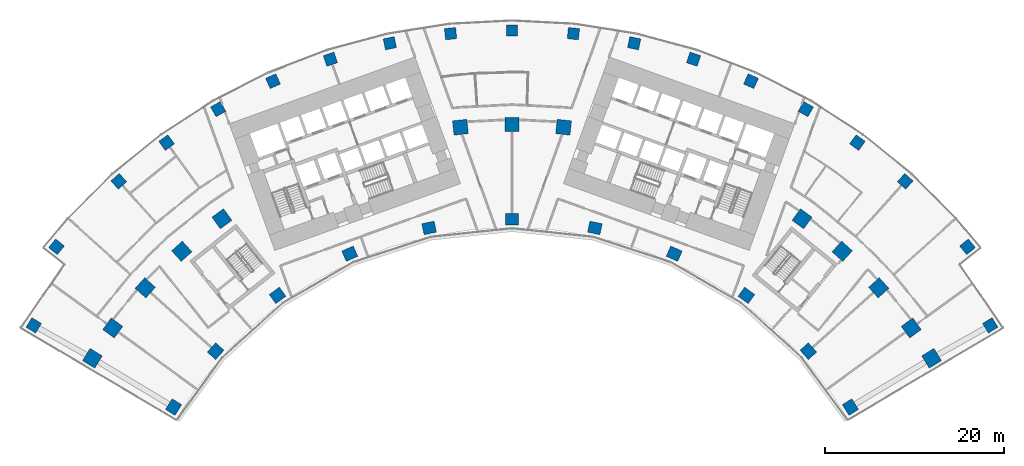
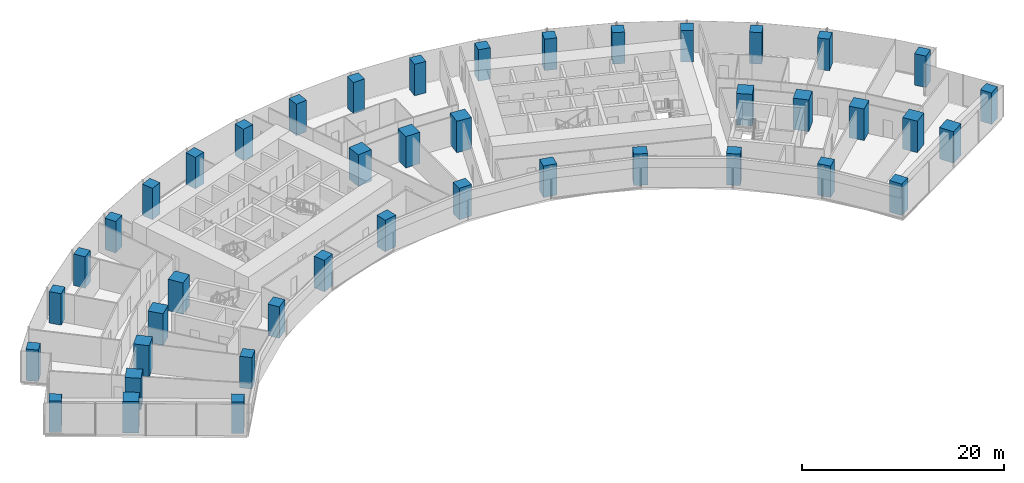
# One storey, part 1 of 21: 43 columns.
"""IFC4 building model written with IfcOpenShell, lengths in metres."""

from ifc_helpers import new_model, si_unit, direction, frame, origin, origin_2d, place, context, subcontext, project, spatial, rectangle, extrude, material, material_profile, profile_set, type_object, element, save


model = new_model("IFC4")

# Units and contexts
model_context = context("Model", 3, precision=1e-05, world=origin(), true_north=direction((0.0, 1.0)))
body_context = subcontext(model_context, "Body", "Model", "MODEL_VIEW")
ifc_project = project(units=[si_unit("LENGTHUNIT", "METRE"), si_unit("AREAUNIT", "SQUARE_METRE"), si_unit("VOLUMEUNIT", "CUBIC_METRE"), si_unit("PLANEANGLEUNIT", "RADIAN"), si_unit("MASSUNIT", "GRAM", prefix="KILO")], contexts=[model_context])

# Site, building, storey
site_placement = place(None, origin())
site = spatial("IfcSite", under=ifc_project, at=site_placement, CompositionType="ELEMENT")
building_placement = place(site_placement, origin())
building = spatial("IfcBuilding", under=site, at=building_placement, Name="Stone Belt Terrace Tower", CompositionType="ELEMENT")
storey_placement = place(building_placement, frame((0.0, 0.0, 37.60009765625)))
storey = spatial("IfcBuildingStorey", under=building, at=storey_placement, Name="L08", CompositionType="ELEMENT", Elevation=37.60009765625)

# Columns
ifc_material = material(Name="Concrete B80", Category="concrete")
ifc_material_profile_1 = material_profile(ifc_material, rectangle(XDim=1.25, YDim=1.25, at=origin_2d()), Name="RC 1250x1250")
ifc_profile_set_1 = profile_set([ifc_material_profile_1], Name="Concrete B80")
column_type_1 = type_object("IfcColumnType", Name="Column RC 1250x1250 B80", PredefinedType="COLUMN", material=ifc_profile_set_1)
for number, where, z_axis, x_axis, name in (
    (1, (-53.30078125, 32.6171875, 0.0), (0.0, 0.0, 1.0), (0.521967198123, 0.852965558556, 0.0), "Column L08 RA"),
    (2, (53.30078125, 32.6171875, 0.0), (0.0, 0.0, 1.0), (0.521967198123, -0.852965558556, 0.0), "Column L08 RB"),
    (3, (-50.7646484375, 41.373046875, 0.0), (0.0, 0.0, 1.0), (0.631758757508, 0.775165061333, 0.0), "Column L08 RNA"),
    (4, (-43.820556640625, 48.667724609375, 0.0), (0.0, 0.0, 1.0), (0.743144825477, 0.669130606359, 0.0), "Column L08 R15"),
    (5, (-38.493408203125, 52.981689453125, 0.0), (0.0, 0.0, 1.0), (0.809016994375, 0.587785252292, 0.0), "Column L08 R16"),
    (6, (-32.744384765625, 56.715087890625, 0.0), (0.0, 0.0, 1.0), (0.866025403784, 0.5, 0.0), "Column L08 R17"),
    (7, (-26.63671875, 59.8271484375, 0.0), (0.0, 0.0, 1.0), (0.913545457643, 0.406736643076, 0.0), "Column L08 R18"),
    (8, (-20.2373046875, 62.28369140625, 0.0), (0.0, 0.0, 1.0), (0.951056516295, 0.309016994375, 0.0), "Column L08 R19"),
    (9, (-13.615966796875, 64.057861328125, 0.0), (0.0, 0.0, 1.0), (0.978147600734, 0.207911690818, 0.0), "Column L08 R20"),
    (10, (-6.845458984375, 65.130126953125, 0.0), (0.0, 0.0, 1.0), (0.994521895368, 0.104528463268, 0.0), "Column L08 R21"),
    (11, (0.0, 65.489013671875, 0.0), (0.0, 0.0, 1.0), (1.0, 0.0, 0.0), "Column L08 R22"),
    (12, (6.845458984375, 65.130126953125, 0.0), (0.0, 0.0, 1.0), (0.994521895368, -0.104528463268, 0.0), "Column L08 R23"),
    (13, (13.615966796875, 64.057861328125, 0.0), (0.0, 0.0, 1.0), (0.978147600734, -0.207911690818, 0.0), "Column L08 R24"),
    (14, (20.2373046875, 62.28369140625, 0.0), (0.0, 0.0, 1.0), (0.951056516295, -0.309016994375, 0.0), "Column L08 R25"),
    (15, (26.63671875, 59.8271484375, 0.0), (0.0, 0.0, 1.0), (0.913545457643, -0.406736643076, 0.0), "Column L08 R26"),
    (16, (32.744384765625, 56.715087890625, 0.0), (0.0, 0.0, 1.0), (0.866025403784, -0.5, 0.0), "Column L08 R27"),
    (17, (38.493408203125, 52.981689453125, 0.0), (0.0, 0.0, 1.0), (0.809016994375, -0.587785252292, 0.0), "Column L08 R28"),
    (18, (43.820556640625, 48.667724609375, 0.0), (0.0, 0.0, 1.0), (0.743144825477, -0.669130606359, 0.0), "Column L08 R29"),
    (19, (50.7646484375, 41.373046875, 0.0), (0.0, 0.0, 1.0), (0.631758757508, -0.775165061333, 0.0), "Column L08 RNB"),
):
    element("IfcColumn", number, at=place(storey_placement, frame(where, z_axis=z_axis, x_axis=x_axis)), inside=storey, type_object=column_type_1, Name=name, PredefinedType="COLUMN", context=body_context, shape_type="SweptSolid", body=[
        extrude(rectangle(XDim=1.25, YDim=1.25, at=origin_2d()), origin(), (0.0, 0.0, 1.0), 3.7998046875),
    ])
ifc_material_profile_2 = material_profile(ifc_material, rectangle(XDim=1.39990234375, YDim=1.25, at=origin_2d()), Name="RC 1400x1250")
ifc_profile_set_2 = profile_set([ifc_material_profile_2], Name="Concrete B80")
column_type_2 = type_object("IfcColumnType", Name="Column RC 1400x1250 B80", PredefinedType="COLUMN", material=ifc_profile_set_2)
for number, where, z_axis, x_axis, name in (
    (20, (-37.718017578125, 23.510009765625, 0.0), (0.0, 0.0, 1.0), (0.528967211548, 0.84864226215, 0.0), "Column L08 PA"),
    (21, (-33.029052734375, 29.739501953125, 0.0), (0.0, 0.0, 1.0), (0.669130606359, 0.743144825477, 0.0), "Column L08 P14"),
    (22, (-26.1240234375, 35.956787109375, 0.0), (0.0, 0.0, 1.0), (0.809016994375, 0.587785252292, 0.0), "Column L08 P16"),
    (23, (-18.077392578125, 40.6025390625, 0.0), (0.0, 0.0, 1.0), (0.913545457643, 0.406736643076, 0.0), "Column L08 P18"),
    (24, (-9.240478515625, 43.473876953125, 0.0), (0.0, 0.0, 1.0), (0.978147600734, 0.207911690818, 0.0), "Column L08 P20"),
    (25, (0.0, 44.445068359375, 0.0), (0.0, 0.0, 1.0), (1.0, 0.0, 0.0), "Column L08 P22"),
    (26, (9.240478515625, 43.473876953125, 0.0), (0.0, 0.0, 1.0), (0.978147600734, -0.207911690818, 0.0), "Column L08 P24"),
    (27, (18.077392578125, 40.6025390625, 0.0), (0.0, 0.0, 1.0), (0.913545457643, -0.406736643076, 0.0), "Column L08 P26"),
    (28, (26.1240234375, 35.956787109375, 0.0), (0.0, 0.0, 1.0), (0.809016994375, -0.587785252292, 0.0), "Column L08 P28"),
    (29, (33.029052734375, 29.739501953125, 0.0), (0.0, 0.0, 1.0), (0.669130606359, -0.743144825477, 0.0), "Column L08 P30"),
    (30, (37.718017578125, 23.510009765625, 0.0), (0.0, 0.0, 1.0), (0.528967211548, -0.84864226215, 0.0), "Column L08 PB"),
):
    element("IfcColumn", number, at=place(storey_placement, frame(where, z_axis=z_axis, x_axis=x_axis)), inside=storey, type_object=column_type_2, Name=name, PredefinedType="COLUMN", context=body_context, shape_type="SweptSolid", body=[
        extrude(rectangle(XDim=1.39990234375, YDim=1.25, at=origin_2d()), origin(), (0.0, 0.0, 1.0), 3.7998046875),
    ])
ifc_material_profile_3 = material_profile(ifc_material, rectangle(XDim=1.60009765625, YDim=1.60009765625, at=origin_2d()), Name="RC 1600x1600")
ifc_profile_set_3 = profile_set([ifc_material_profile_3], Name="Concrete B80")
column_type_3 = type_object("IfcColumnType", Name="Column RC 1600x1600 B80", PredefinedType="COLUMN", material=ifc_profile_set_3)
for number, where, z_axis, x_axis, name in (
    (31, (-46.763671875, 28.951171875, 0.0), (0.0, 0.0, 1.0), (0.526383105721, 0.850247508677, 0.0), "Column L08 QA"),
    (32, (-44.495849609375, 32.328125, 0.0), (0.0, 0.0, 1.0), (0.587785252292, 0.809016994375, 0.0), "Column L08 Q13"),
    (33, (-40.873046875, 36.80224609375, 0.0), (0.0, 0.0, 1.0), (0.669130606359, 0.743144825477, 0.0), "Column L08 Q14"),
    (34, (-36.80224609375, 40.873046875, 0.0), (0.0, 0.0, 1.0), (0.743144825477, 0.669130606359, 0.0), "Column L08 Q15"),
    (35, (-32.328125, 44.495849609375, 0.0), (0.0, 0.0, 1.0), (0.809016994375, 0.587785252292, 0.0), "Column L08 Q16"),
    (36, (-5.7490234375, 54.69873046875, 0.0), (0.0, 0.0, 1.0), (0.994521895368, 0.104528463268, 0.0), "Column L08 Q21"),
    (37, (0.0, 55.0, 0.0), (0.0, 0.0, 1.0), (1.0, 0.0, 0.0), "Column L08 Q22"),
    (38, (5.7490234375, 54.69873046875, 0.0), (0.0, 0.0, 1.0), (0.994521895368, -0.104528463268, 0.0), "Column L08 Q23"),
    (39, (32.328125, 44.495849609375, 0.0), (0.0, 0.0, 1.0), (0.809016994375, -0.587785252292, 0.0), "Column L08 Q28"),
    (40, (36.80224609375, 40.873046875, 0.0), (0.0, 0.0, 1.0), (0.743144825477, -0.669130606359, 0.0), "Column L08 Q29"),
    (41, (40.873046875, 36.80224609375, 0.0), (0.0, 0.0, 1.0), (0.669130606359, -0.743144825477, 0.0), "Column L08 Q30"),
    (42, (44.495849609375, 32.328125, 0.0), (0.0, 0.0, 1.0), (0.587785252292, -0.809016994375, 0.0), "Column L08 Q31"),
    (43, (46.763671875, 28.951171875, 0.0), (0.0, 0.0, 1.0), (0.526383105721, -0.850247508677, 0.0), "Column L08 QB"),
):
    element("IfcColumn", number, at=place(storey_placement, frame(where, z_axis=z_axis, x_axis=x_axis)), inside=storey, type_object=column_type_3, Name=name, PredefinedType="COLUMN", context=body_context, shape_type="SweptSolid", body=[
        extrude(rectangle(XDim=1.60009765625, YDim=1.60009765625, at=origin_2d()), origin(), (0.0, 0.0, 1.0), 3.7998046875),
    ])

save(model, "model.ifc")
